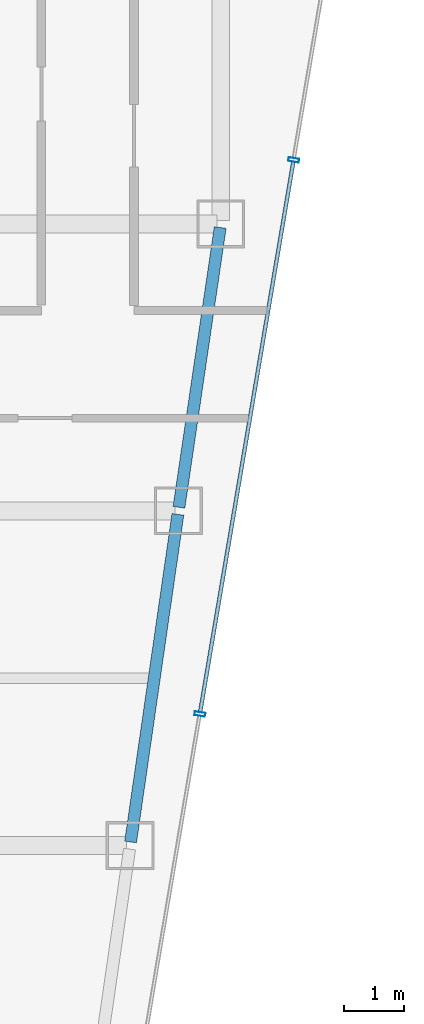
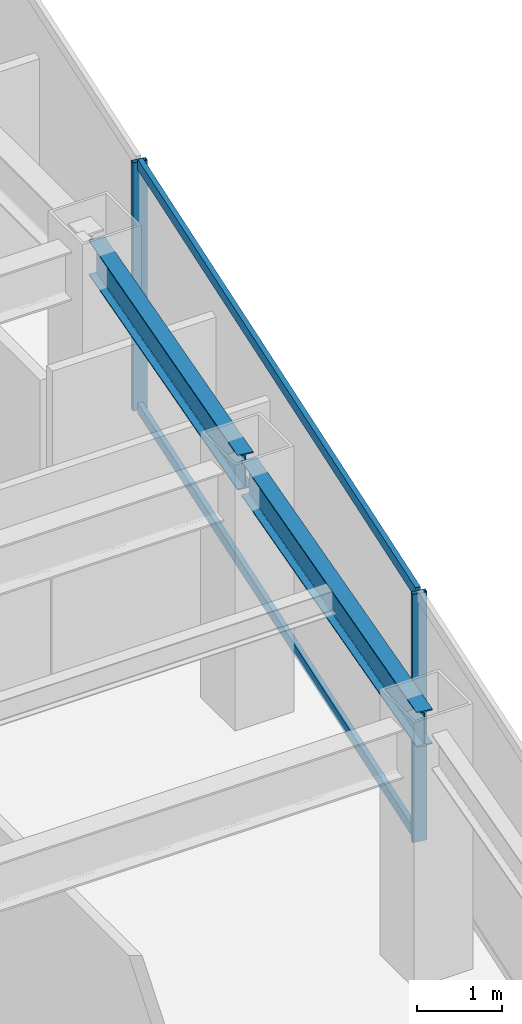
# One storey, part 22 of 36: 4 members, 2 beams, 1 element without a shape of its own.
"""IFC4 building model written with IfcOpenShell, lengths in metres."""

from ifc_helpers import new_model, si_unit, direction, frame, origin, origin_2d, place, context, subcontext, project, spatial, hollow_rectangle, i_section, extrude, material, material_profile, profile_set, type_object, element, aggregate, save


model = new_model("IFC4")

# Units and contexts
model_context = context("Model", 3, precision=1e-05, world=origin(), true_north=direction((0.0, 1.0)))
body_context = subcontext(model_context, "Body", "Model", "MODEL_VIEW")
ifc_project = project(units=[si_unit("LENGTHUNIT", "METRE"), si_unit("AREAUNIT", "SQUARE_METRE"), si_unit("VOLUMEUNIT", "CUBIC_METRE"), si_unit("PLANEANGLEUNIT", "RADIAN"), si_unit("MASSUNIT", "GRAM", prefix="KILO")], contexts=[model_context])

# Site, building, storey
site_placement = place(None, origin())
site = spatial("IfcSite", under=ifc_project, at=site_placement, CompositionType="ELEMENT")
building_placement = place(site_placement, origin())
building = spatial("IfcBuilding", under=site, at=building_placement, Name="Saevonmaru Cultural Tower", CompositionType="ELEMENT")
storey_placement = place(building_placement, frame((0.0, 0.0, 182.800048828125)))
storey = spatial("IfcBuildingStorey", under=building, at=storey_placement, Name="L41", CompositionType="ELEMENT", Elevation=182.800048828125)

# Beams
ifc_material_1 = material(Name="Steel SM355", Category="steel")
ifc_material_profile_1 = material_profile(ifc_material_1, i_section(OverallWidth=0.199951171875, OverallDepth=0.5, WebThickness=0.010009765625, FlangeThickness=0.01611328125, FilletRadius=0.02001953125, at=origin_2d()), Name="H-500x200x10x16")
ifc_profile_set_1 = profile_set([ifc_material_profile_1], Name="Steel SM355")
beam_type = type_object("IfcBeamType", Name="BM-SP-H500", PredefinedType="SPANDREL", material=ifc_profile_set_1)
beam_1_placement = place(storey_placement, frame((51.691650390625, 32.059326171875, 3.300048828125), z_axis=(0.142964121327, 0.989727871697, 0.0), x_axis=(-0.989727871697, 0.142964121327, 0.0)))
element("IfcBeam", 1, at=beam_1_placement, inside=storey, type_object=beam_type, Name="L41 East Splayed Spandrel 3", PredefinedType="SPANDREL", context=body_context, shape_type="SweptSolid", body=[
    extrude(i_section(OverallWidth=0.199951171875, OverallDepth=0.5, WebThickness=0.010009765625, FlangeThickness=0.01611328125, FilletRadius=0.02001953125, at=origin_2d()), origin(), (0.0, 0.0, 1.0), 5.5380859375),
])
beam_2_placement = place(storey_placement, frame((52.500732421875, 37.659423828125, 3.300048828125), z_axis=(0.145912860028, 0.989297446312, 0.0), x_axis=(-0.989297446312, 0.145912860028, 0.0)))
element("IfcBeam", 2, at=beam_2_placement, inside=storey, type_object=beam_type, Name="L41 East Splayed Spandrel 4", PredefinedType="SPANDREL", context=body_context, shape_type="SweptSolid", body=[
    extrude(i_section(OverallWidth=0.199951171875, OverallDepth=0.5, WebThickness=0.010009765625, FlangeThickness=0.01611328125, FilletRadius=0.02001953125, at=origin_2d()), origin(), (0.0, 0.0, 1.0), 4.731689453125),
])

# Curtain wall, members
ifc_material_2 = material(Name="Satin Bronze Anodised Aluminium", Category="aluminium")
curtain_wall_type = type_object("IfcCurtainWallType", Name="CW-TYP-B", PredefinedType="NOTDEFINED", material=ifc_material_2)
curtain_wall_placement = place(storey_placement, origin())
curtain_wall = element("IfcCurtainWall", 3, at=curtain_wall_placement, inside=storey, type_object=curtain_wall_type, Name="L41 Unitised Curtain Wall E8", PredefinedType="NOTDEFINED")
ifc_material_profile_2 = material_profile(ifc_material_2, hollow_rectangle(XDim=0.06494140625, YDim=0.179931640625, WallThickness=0.00390625, at=origin_2d()), Name="ALU-MULL-180x65x4")
ifc_profile_set_2 = profile_set([ifc_material_profile_2], Name="Satin Bronze Anodised Aluminium")
member_type_1 = type_object("IfcMemberType", Name="ML-CW-180x65", PredefinedType="MULLION", material=ifc_profile_set_2)
member_1_placement = place(storey_placement, frame((52.85107421875, 34.199951171875, 0.0), z_axis=(0.0, 0.0, 1.0), x_axis=(0.16692169721, 0.985970155228, 0.0)))
member_1 = element("IfcMember", 4, at=member_1_placement, type_object=member_type_1, Name="CW-TW-L41-E8 mullion 3", PredefinedType="MULLION", context=body_context, shape_type="SweptSolid", body=[
    extrude(hollow_rectangle(XDim=0.06494140625, YDim=0.179931640625, WallThickness=0.00390625, at=origin_2d()), origin(), (0.0, 0.0, 1.0), 3.550048828125),
])
member_2_placement = place(storey_placement, frame((54.420654296875, 43.470458984375, 0.0), z_axis=(0.0, 0.0, 1.0), x_axis=(0.16692169721, 0.985970155228, 0.0)))
member_2 = element("IfcMember", 5, at=member_2_placement, type_object=member_type_1, Name="CW-TW-L41-E8 mullion 4", PredefinedType="MULLION", context=body_context, shape_type="SweptSolid", body=[
    extrude(hollow_rectangle(XDim=0.06494140625, YDim=0.179931640625, WallThickness=0.00390625, at=origin_2d()), origin(), (0.0, 0.0, 1.0), 3.550048828125),
])
ifc_material_profile_3 = material_profile(ifc_material_2, hollow_rectangle(XDim=0.06494140625, YDim=0.14990234375, WallThickness=0.00390625, at=origin_2d()), Name="ALU-TRAN-150x65x4")
ifc_profile_set_3 = profile_set([ifc_material_profile_3], Name="Satin Bronze Anodised Aluminium")
member_type_2 = type_object("IfcMemberType", Name="TR-CW-150x65", PredefinedType="USERDEFINED", material=ifc_profile_set_3)
member_3_placement = place(storey_placement, frame((52.8564453125, 34.23193359375, 0.032470703125), z_axis=(0.166916960754, 0.985970957084, 0.0), x_axis=(-0.985970957084, 0.166916960754, 0.0)))
member_3 = element("IfcMember", 6, at=member_3_placement, type_object=member_type_2, Name="CW-TW-L41-E8 transom 3.1", ObjectType="TRANSOM", PredefinedType="USERDEFINED", context=body_context, shape_type="SweptSolid", body=[
    extrude(hollow_rectangle(XDim=0.06494140625, YDim=0.14990234375, WallThickness=0.00390625, at=origin_2d()), origin(), (0.0, 0.0, 1.0), 9.337646484375),
])
member_4_placement = place(storey_placement, frame((52.8564453125, 34.23193359375, 3.517333984375), z_axis=(0.166916960754, 0.985970957084, 0.0), x_axis=(-0.985970957084, 0.166916960754, 0.0)))
member_4 = element("IfcMember", 7, at=member_4_placement, type_object=member_type_2, Name="CW-TW-L41-E8 transom 3.2", ObjectType="TRANSOM", PredefinedType="USERDEFINED", context=body_context, shape_type="SweptSolid", body=[
    extrude(hollow_rectangle(XDim=0.06494140625, YDim=0.14990234375, WallThickness=0.00390625, at=origin_2d()), origin(), (0.0, 0.0, 1.0), 9.337646484375),
])
aggregate(curtain_wall, [member_1, member_2, member_3, member_4])

save(model, "model.ifc")
